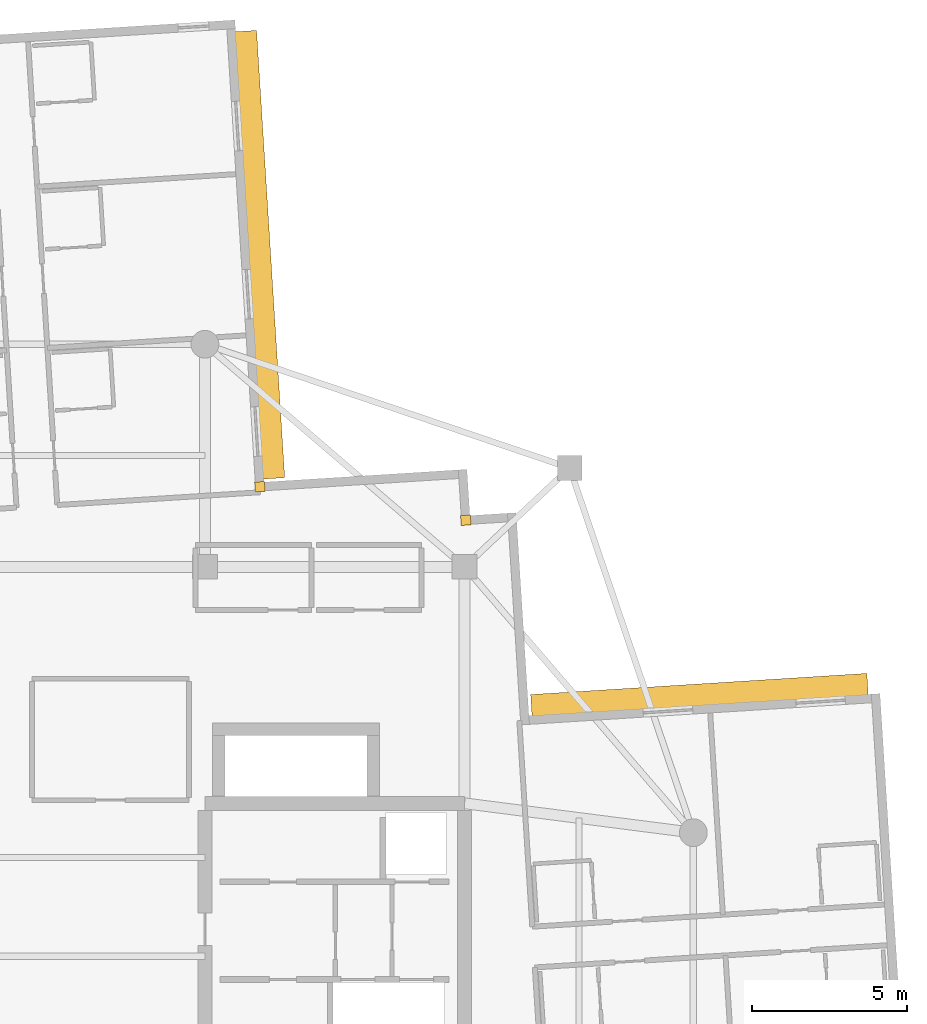
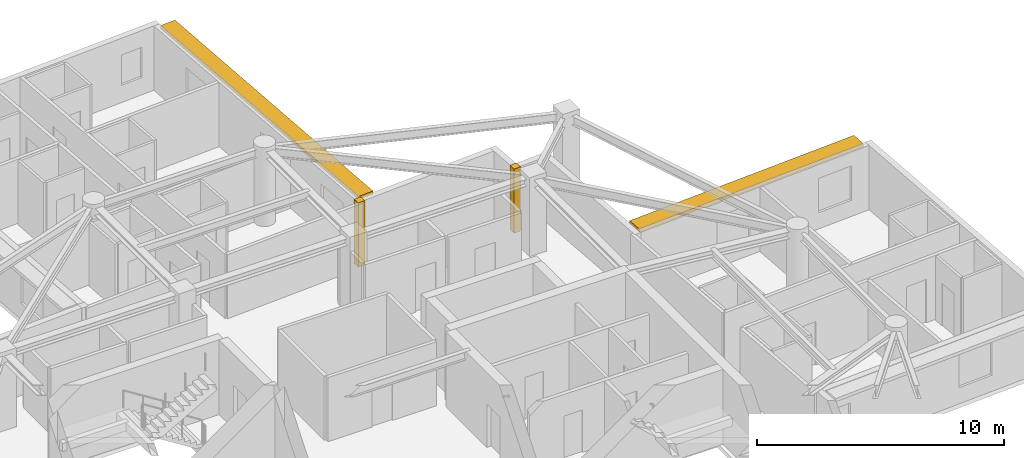
# One storey, part 13 of 13: 2 coverings, 2 shading devices.
"""IFC4 building model written with IfcOpenShell, lengths in metres."""

from ifc_helpers import new_model, si_unit, direction, frame, origin, origin_2d, place, context, subcontext, project, spatial, rectangle, extrude, material, layer, layer_set, type_object, element, save


model = new_model("IFC4")

# Units and contexts
model_context = context("Model", 3, precision=1e-05, world=origin(), true_north=direction((0.0, 1.0)))
body_context = subcontext(model_context, "Body", "Model", "MODEL_VIEW")
ifc_project = project(units=[si_unit("LENGTHUNIT", "METRE"), si_unit("AREAUNIT", "SQUARE_METRE"), si_unit("VOLUMEUNIT", "CUBIC_METRE"), si_unit("PLANEANGLEUNIT", "RADIAN"), si_unit("MASSUNIT", "GRAM", prefix="KILO")], contexts=[model_context])

# Site, building, storey
site_placement = place(None, origin())
site = spatial("IfcSite", under=ifc_project, at=site_placement, CompositionType="ELEMENT")
building_placement = place(site_placement, origin())
building = spatial("IfcBuilding", under=site, at=building_placement, Name="Qingluan Cross Belvedere", CompositionType="ELEMENT")
storey_placement = place(building_placement, frame((0.0, 0.0, 281.10009765625)))
storey = spatial("IfcBuildingStorey", under=building, at=storey_placement, Name="L70", CompositionType="ELEMENT", Elevation=281.10009765625)

# Coverings
ifc_material_1 = material(Name="Precast concrete C45", Category="concrete")
ifc_layer_1 = layer(ifc_material_1, 0.1201171875, Name="ConcreteSpandrelCladding_120")
ifc_layer_set_1 = layer_set([ifc_layer_1], Name="Precast concrete C45")
covering_type = type_object("IfcCoveringType", Name="ConcreteSpandrelCladding_120", PredefinedType="CLADDING", material=ifc_layer_set_1)
for number, where, z_axis, x_axis, name in (
    (1, (12.438720703125, 14.10888671875, 0.0), (0.0, 0.0, 1.0), (0.998026728428, 0.062790519529, 0.0), "Corner closure L70-NE1"),
    (2, (5.77734375, 15.192626953125, 0.0), (0.0, 0.0, 1.0), (0.998026728428, 0.062790519529, 0.0), "Corner closure L70-NE2"),
):
    element("IfcCovering", number, at=place(storey_placement, frame(where, z_axis=z_axis, x_axis=x_axis)), inside=storey, type_object=covering_type, Name=name, PredefinedType="CLADDING", context=body_context, shape_type="SweptSolid", body=[
        extrude(rectangle(XDim=0.320068359375, YDim=0.320068359375, at=origin_2d()), origin(), (0.0, 0.0, 1.0), 3.179931640625),
    ])

# Shading devices
ifc_material_2 = material(Name="Precast concrete C45", Category="concrete")
ifc_layer_2 = layer(ifc_material_2, 0.139892578125, Name="ConcreteSunshadeBand_700")
ifc_layer_set_2 = layer_set([ifc_layer_2], Name="Precast concrete C45")
shading_device_type = type_object("IfcShadingDeviceType", Name="ConcreteSunshadeBand_700", PredefinedType="USERDEFINED", material=ifc_layer_set_2)
shading_device_1_placement = place(storey_placement, frame((19.998046875, 8.46240234375, 3.0), z_axis=(0.0, 0.0, 1.0), x_axis=(-0.998026587145, -0.062792765115, 0.0)))
element("IfcShadingDevice", 3, at=shading_device_1_placement, inside=storey, type_object=shading_device_type, Name="Concrete SUNSHADE L70-EB", ObjectType="SUNSHADE", PredefinedType="USERDEFINED", context=body_context, shape_type="SweptSolid", body=[
    extrude(rectangle(XDim=10.89990234375, YDim=0.699951171875, at=origin_2d()), origin(), (0.0, 0.0, 1.0), 0.159912109375),
])
shading_device_2_placement = place(storey_placement, frame((5.776123046875, 22.697509765625, 3.0), z_axis=(0.0, 0.0, 1.0), x_axis=(-0.062789090939, 0.998026818306, 0.0)))
element("IfcShadingDevice", 4, at=shading_device_2_placement, inside=storey, type_object=shading_device_type, Name="Concrete SUNSHADE L70-NA", ObjectType="SUNSHADE", PredefinedType="USERDEFINED", context=body_context, shape_type="SweptSolid", body=[
    extrude(rectangle(XDim=14.5, YDim=0.699951171875, at=origin_2d()), origin(), (0.0, 0.0, 1.0), 0.159912109375),
])

save(model, "model.ifc")
